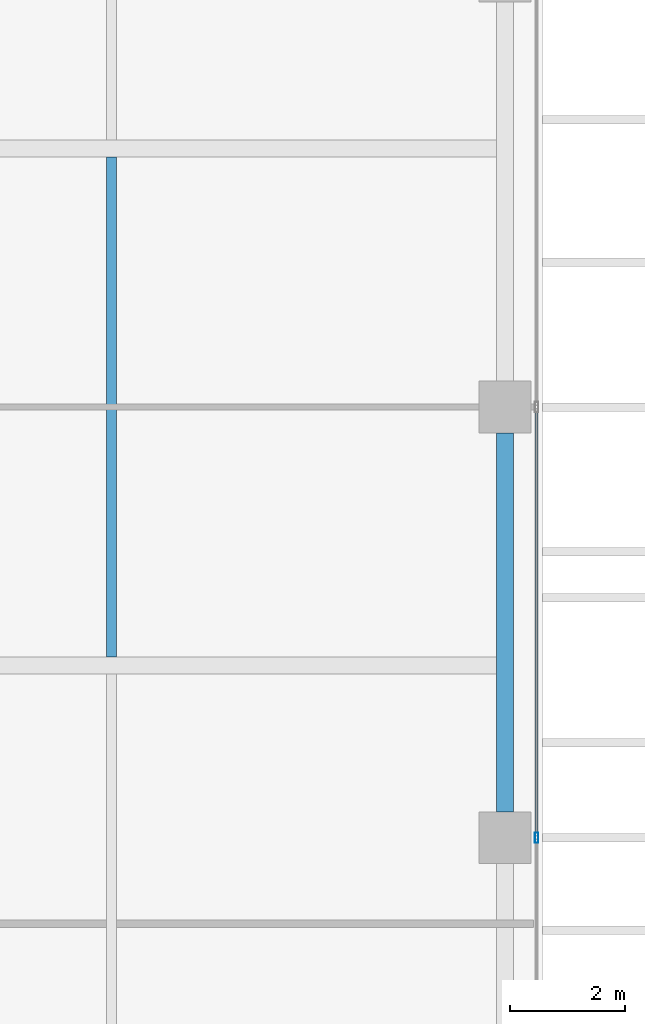
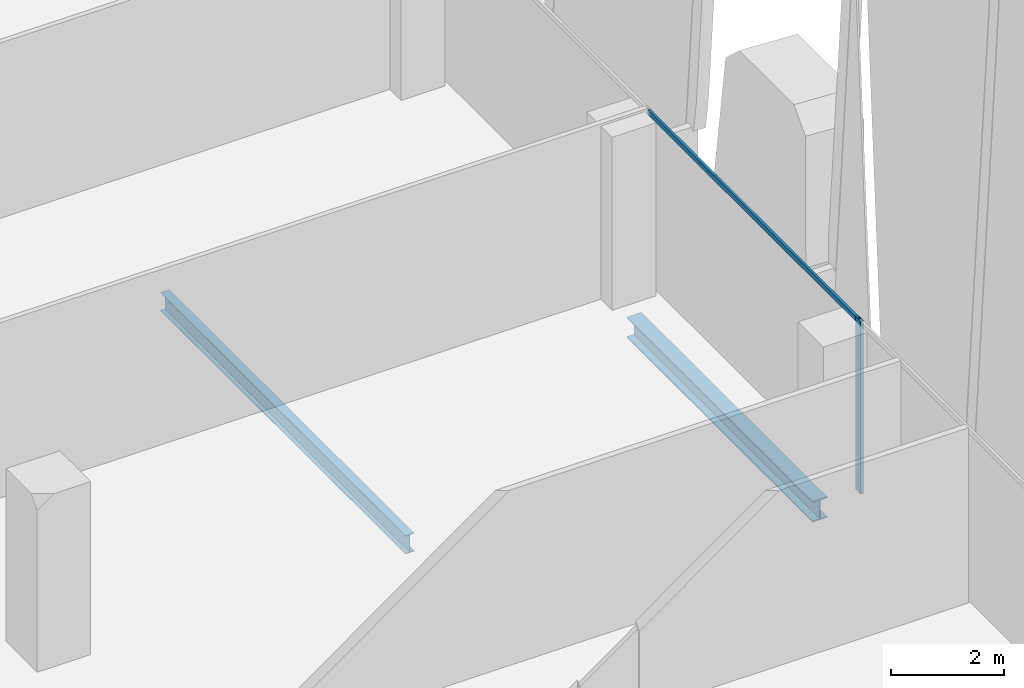
# One storey, part 11 of 35: 2 beams, 2 members, 1 element without a shape of its own.
"""IFC4 building model written with IfcOpenShell, lengths in metres."""

from ifc_helpers import new_model, si_unit, direction, frame, origin, origin_2d, place, context, subcontext, project, spatial, hollow_rectangle, i_section, extrude, source, transform, mapped, material, material_profile, profile_set, type_object, element, aggregate, save


model = new_model("IFC4")

# Units and contexts
model_context = context("Model", 3, precision=1e-05, world=origin(), true_north=direction((0.0, 1.0)))
body_context = subcontext(model_context, "Body", "Model", "MODEL_VIEW")
ifc_project = project(units=[si_unit("LENGTHUNIT", "METRE"), si_unit("AREAUNIT", "SQUARE_METRE"), si_unit("VOLUMEUNIT", "CUBIC_METRE"), si_unit("PLANEANGLEUNIT", "RADIAN"), si_unit("MASSUNIT", "GRAM", prefix="KILO")], contexts=[model_context])

# Site, building, storey
site_placement = place(None, origin())
site = spatial("IfcSite", under=ifc_project, at=site_placement, CompositionType="ELEMENT")
building_placement = place(site_placement, origin())
building = spatial("IfcBuilding", under=site, at=building_placement, Name="Khomas Fold Tower", CompositionType="ELEMENT")
storey_placement = place(building_placement, frame((0.0, 0.0, 246.199951171875)))
storey = spatial("IfcBuildingStorey", under=building, at=storey_placement, Name="L55", CompositionType="ELEMENT", Elevation=246.199951171875)

# Beams
ifc_material_1 = material(Name="Steel S355", Category="steel")
ifc_material_profile_1 = material_profile(ifc_material_1, i_section(OverallWidth=0.179931640625, OverallDepth=0.39990234375, WebThickness=0.008544921875, FlangeThickness=0.013427734375, at=origin_2d()), Name="IPE 400")
ifc_profile_set_1 = profile_set([ifc_material_profile_1], Name="Steel S355")
beam_type_1 = type_object("IfcBeamType", Name="IPE 400 beam JB3", PredefinedType="BEAM", material=ifc_profile_set_1)
shared_shape_1 = source(origin(), body_context, "Body", "SweptSolid", [
    extrude(i_section(OverallWidth=0.179931640625, OverallDepth=0.39990234375, WebThickness=0.008544921875, FlangeThickness=0.013427734375, at=origin_2d()), origin(), (0.0, 0.0, 1.0), 8.7001953125),
])
beam_1_placement = place(storey_placement, frame((42.0, 22.64990234375, -0.449951171875), z_axis=(0.0, 1.0, 0.0), x_axis=(-1.0, 0.0, 0.0)))
element("IfcBeam", 1, at=beam_1_placement, inside=storey, type_object=beam_type_1, Name="JB3", PredefinedType="BEAM", context=body_context, shape_type="MappedRepresentation", body=[
    mapped(shared_shape_1, transform((0.0, 0.0, 0.0))),
])
ifc_material_2 = material(Name="Steel S355", Category="steel")
ifc_material_profile_2 = material_profile(ifc_material_2, i_section(OverallWidth=0.300048828125, OverallDepth=0.449951171875, WebThickness=0.013916015625, FlangeThickness=0.02587890625, at=origin_2d()), Name="HE 450 B")
ifc_profile_set_2 = profile_set([ifc_material_profile_2], Name="Steel S355")
beam_type_2 = type_object("IfcBeamType", Name="HE 450 B spandrel SB4", PredefinedType="SPANDREL", material=ifc_profile_set_2)
shared_shape_2 = source(origin(), body_context, "Body", "SweptSolid", [
    extrude(i_section(OverallWidth=0.300048828125, OverallDepth=0.449951171875, WebThickness=0.013916015625, FlangeThickness=0.02587890625, at=origin_2d()), origin(), (0.0, 0.0, 1.0), 6.60009765625),
])
beam_2_placement = place(storey_placement, frame((48.85009765625, 19.949951171875, -0.474853515625), z_axis=(0.0, 1.0, 0.0), x_axis=(-1.0, 0.0, 0.0)))
element("IfcBeam", 2, at=beam_2_placement, inside=storey, type_object=beam_type_2, Name="SB4", PredefinedType="SPANDREL", context=body_context, shape_type="MappedRepresentation", body=[
    mapped(shared_shape_2, transform((0.0, 0.0, 0.0))),
])

# Curtain wall, members
ifc_material_3 = material(Name="Aluminium framed double glazing", Category="aluminium")
curtain_wall_type = type_object("IfcCurtainWallType", Name="SK-Unitised clear-glass wall, office floors CW2", PredefinedType="NOTDEFINED", material=ifc_material_3)
curtain_wall_placement = place(storey_placement, origin())
curtain_wall = element("IfcCurtainWall", 3, at=curtain_wall_placement, inside=storey, type_object=curtain_wall_type, Name="CW2 run L55 03-0", PredefinedType="NOTDEFINED")
ifc_material_4 = material(Name="Aluminium", Category="aluminium")
ifc_material_profile_3 = material_profile(ifc_material_4, hollow_rectangle(XDim=0.06005859375, YDim=0.179931640625, WallThickness=0.00390625, at=origin_2d()), Name="SK-Unitised clear-glass wall, office floors mullion CW2-M")
ifc_profile_set_3 = profile_set([ifc_material_profile_3], Name="Aluminium")
member_type_1 = type_object("IfcMemberType", Name="SK-Unitised clear-glass wall, office floors mullion CW2-M", PredefinedType="MULLION", material=ifc_profile_set_3)
shared_shape_3 = source(origin(), body_context, "Body", "SweptSolid", [
    extrude(hollow_rectangle(XDim=0.06005859375, YDim=0.179931640625, WallThickness=0.00390625, at=origin_2d()), origin(), (0.0, 0.0, 1.0), 3.75),
])
member_1_placement = place(storey_placement, frame((49.39990234375, 19.5, 0.0), z_axis=(0.0, 0.0, 1.0), x_axis=(-1.0, 0.0, 0.0)))
member_1 = element("IfcMember", 4, at=member_1_placement, type_object=member_type_1, Name="CW2 mullion 3", PredefinedType="MULLION", context=body_context, shape_type="MappedRepresentation", body=[
    mapped(shared_shape_3, transform((0.0, 0.0, 0.0))),
])
ifc_material_5 = material(Name="Aluminium", Category="aluminium")
ifc_material_profile_4 = material_profile(ifc_material_5, hollow_rectangle(XDim=0.050048828125, YDim=0.110107421875, WallThickness=0.00390625, at=origin_2d()), Name="SK-Unitised clear-glass wall, office floors transom CW2-T")
ifc_profile_set_4 = profile_set([ifc_material_profile_4], Name="Aluminium")
member_type_2 = type_object("IfcMemberType", Name="SK-Unitised clear-glass wall, office floors transom CW2-T", PredefinedType="USERDEFINED", material=ifc_profile_set_4)
shared_shape_4 = source(origin(), body_context, "Body", "SweptSolid", [
    extrude(hollow_rectangle(XDim=0.050048828125, YDim=0.110107421875, WallThickness=0.00390625, at=origin_2d()), origin(), (0.0, 0.0, 1.0), 7.43994140625),
])
member_2_placement = place(storey_placement, frame((49.39990234375, 19.530029296875, 3.695068359375), z_axis=(0.0, 1.0, 0.0), x_axis=(-1.0, 0.0, 0.0)))
member_2 = element("IfcMember", 5, at=member_2_placement, type_object=member_type_2, Name="CW2 transom 3", ObjectType="TRANSOM", PredefinedType="USERDEFINED", context=body_context, shape_type="MappedRepresentation", body=[
    mapped(shared_shape_4, transform((0.0, 0.0, 0.0))),
])
aggregate(curtain_wall, [member_1, member_2])

save(model, "model.ifc")
